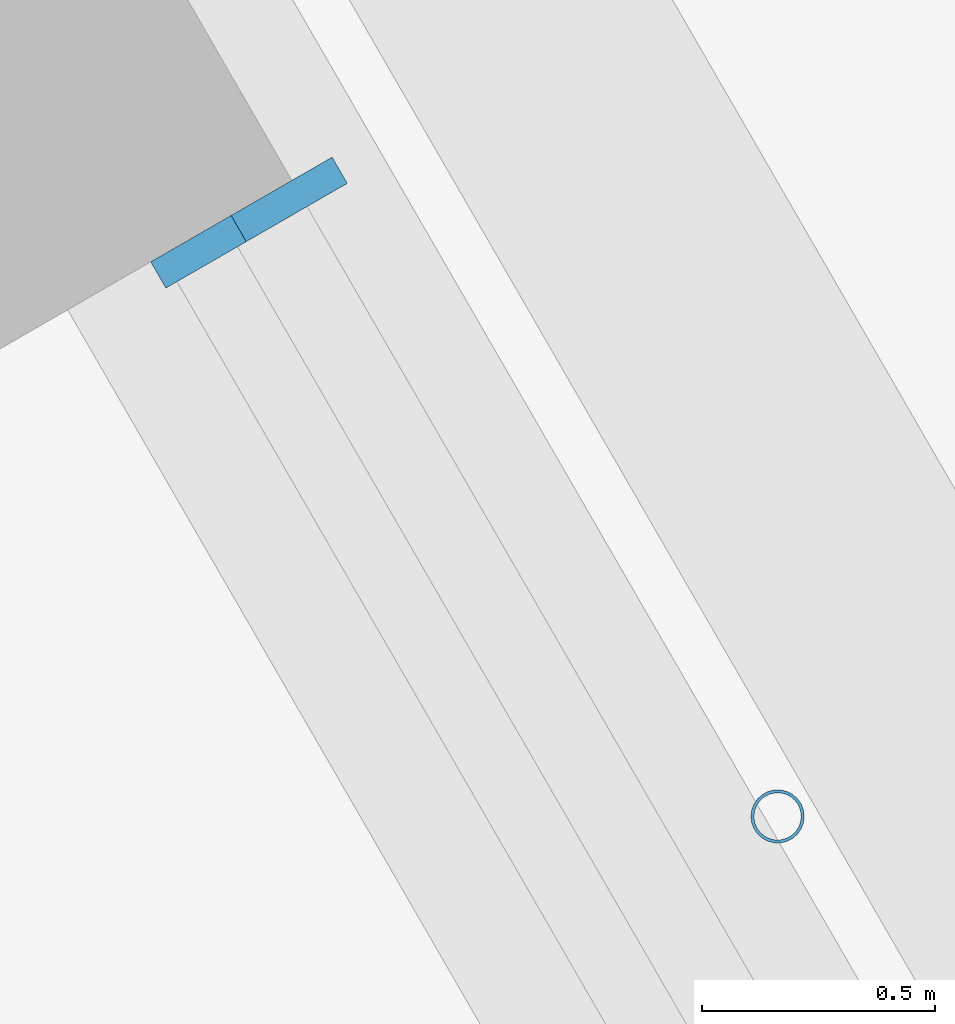
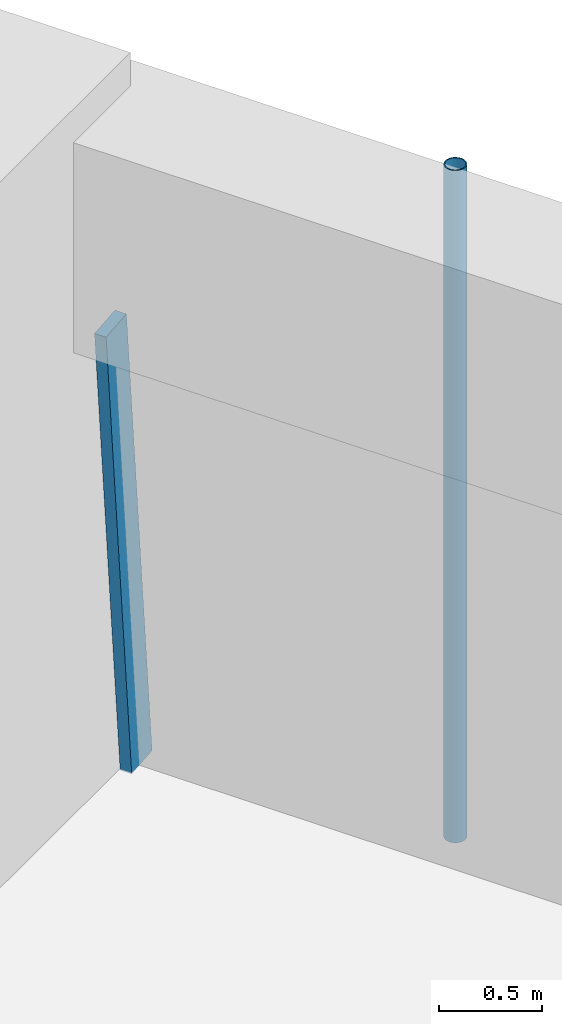
# One storey, part 15 of 24: 2 members, 1 element without a shape of its own.
"""IFC4 building model written with IfcOpenShell, lengths in metres."""

from ifc_helpers import new_model, si_unit, direction, frame, origin, origin_2d, place, context, subcontext, project, spatial, rectangle, hollow_circle, extrude, material, material_profile, profile_set, type_object, element, aggregate, save


model = new_model("IFC4")

# Units and contexts
model_context = context("Model", 3, precision=1e-05, world=origin(), true_north=direction((0.0, 1.0)))
body_context = subcontext(model_context, "Body", "Model", "MODEL_VIEW")
ifc_project = project(units=[si_unit("LENGTHUNIT", "METRE"), si_unit("AREAUNIT", "SQUARE_METRE"), si_unit("VOLUMEUNIT", "CUBIC_METRE"), si_unit("PLANEANGLEUNIT", "RADIAN"), si_unit("MASSUNIT", "GRAM", prefix="KILO")], contexts=[model_context])

# Site, building, storey
site_placement = place(None, origin())
site = spatial("IfcSite", under=ifc_project, at=site_placement, CompositionType="ELEMENT")
building_placement = place(site_placement, origin())
building = spatial("IfcBuilding", under=site, at=building_placement, Name="Tarfa Lantern Tower", CompositionType="ELEMENT")
storey_placement = place(building_placement, frame((0.0, 0.0, 157.300048828125)))
storey = spatial("IfcBuildingStorey", under=building, at=storey_placement, Name="L35", CompositionType="ELEMENT", Elevation=157.300048828125)

# Curtain wall, member
ifc_material_1 = material(Name="Aluminium framed curtain wall", Category="aluminium")
curtain_wall_type = type_object("IfcCurtainWallType", Name="CW2 CANTED GLAZING MID ZONE 2750", PredefinedType="USERDEFINED", material=ifc_material_1)
curtain_wall_placement = place(storey_placement, origin())
curtain_wall = element("IfcCurtainWall", 1, at=curtain_wall_placement, inside=storey, type_object=curtain_wall_type, Name="CW2 NE L35", ObjectType="CURTAIN WALL", PredefinedType="USERDEFINED")
ifc_material_2 = material(Name="Aluminium mullion", Category="aluminium")
ifc_material_profile_1 = material_profile(ifc_material_2, rectangle(XDim=0.06494140625, YDim=0.199951171875, at=origin_2d()), Name="AL MULLION 65x200")
ifc_profile_set_1 = profile_set([ifc_material_profile_1], Name="Aluminium mullion")
member_type_1 = type_object("IfcMemberType", Name="CWM1 MULLION 65x200", PredefinedType="MULLION", material=ifc_profile_set_1)
member_1_placement = place(storey_placement, frame((30.111328125, 10.645751953125, 0.0), z_axis=(-0.078422950161, -0.045267813396, 0.995891894715), x_axis=(0.499919672301, -0.866071776036, 0.0)))
member_1 = element("IfcMember", 2, at=member_1_placement, type_object=member_type_1, Name="CW2 mullion 2", PredefinedType="MULLION", context=body_context, shape_type="SweptSolid", body=[
    extrude(rectangle(XDim=0.06494140625, YDim=0.199951171875, at=origin_2d()), origin(), (0.0, 0.0, 1.0), 2.76123046875),
])
aggregate(curtain_wall, [member_1])

# Member
ifc_material_3 = material(Name="Steel S355", Category="steel")
ifc_material_profile_2 = material_profile(ifc_material_3, hollow_circle(Radius=0.05712890625, WallThickness=0.00634765625, at=origin_2d()), Name="CHS114.3x6.3")
ifc_profile_set_2 = profile_set([ifc_material_profile_2], Name="Steel S355")
member_type_2 = type_object("IfcMemberType", Name="TR1 GREEN WALL TRELLIS CHS114.3x6.3", PredefinedType="USERDEFINED", material=ifc_profile_set_2)
member_2_placement = place(storey_placement, frame((31.136474609375, 9.31005859375, 0.0), z_axis=(0.0, 0.0, 1.0), x_axis=(1.0, 0.0, 0.0)))
element("IfcMember", 3, at=member_2_placement, inside=storey, type_object=member_type_2, Name="Trellis post NE 1", ObjectType="TRELLIS", PredefinedType="USERDEFINED", context=body_context, shape_type="SweptSolid", body=[
    extrude(hollow_circle(Radius=0.05712890625, WallThickness=0.00634765625, at=origin_2d()), origin(), (0.0, 0.0, 1.0), 4.0),
])

save(model, "model.ifc")
